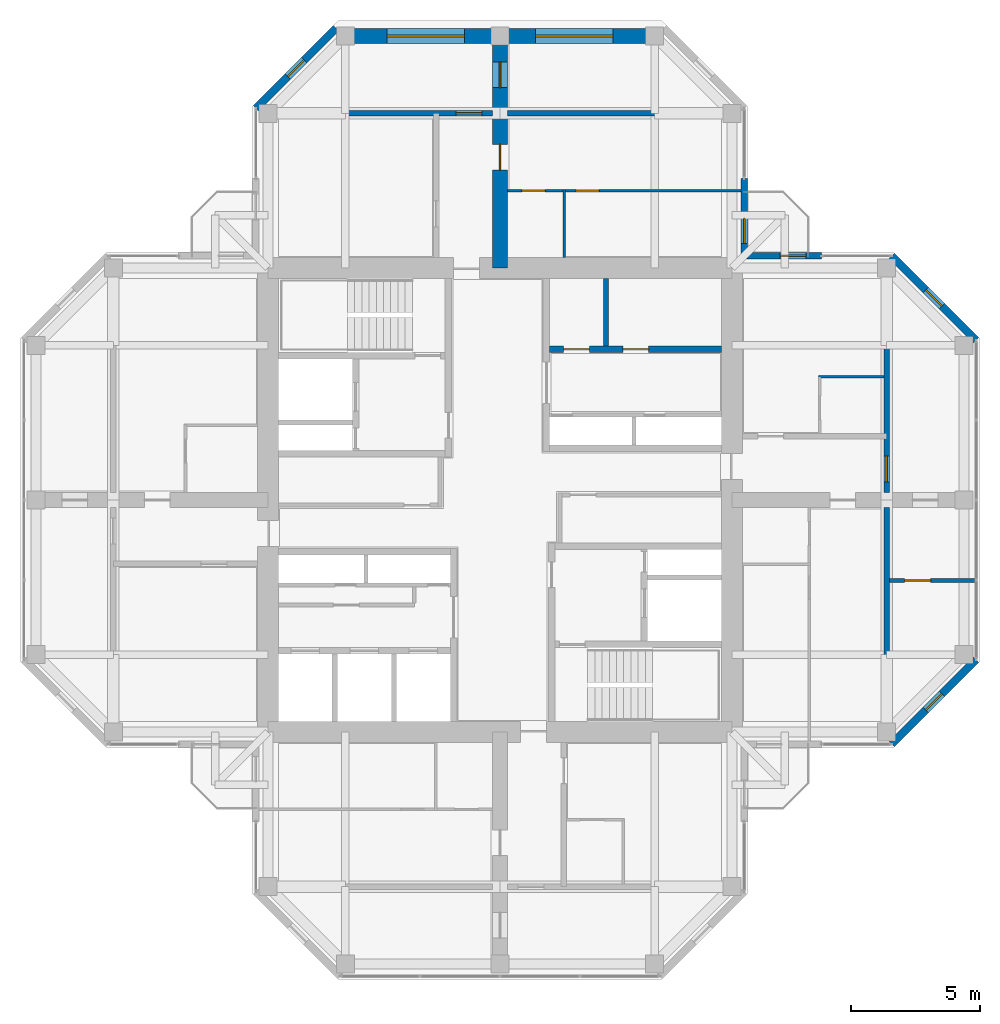
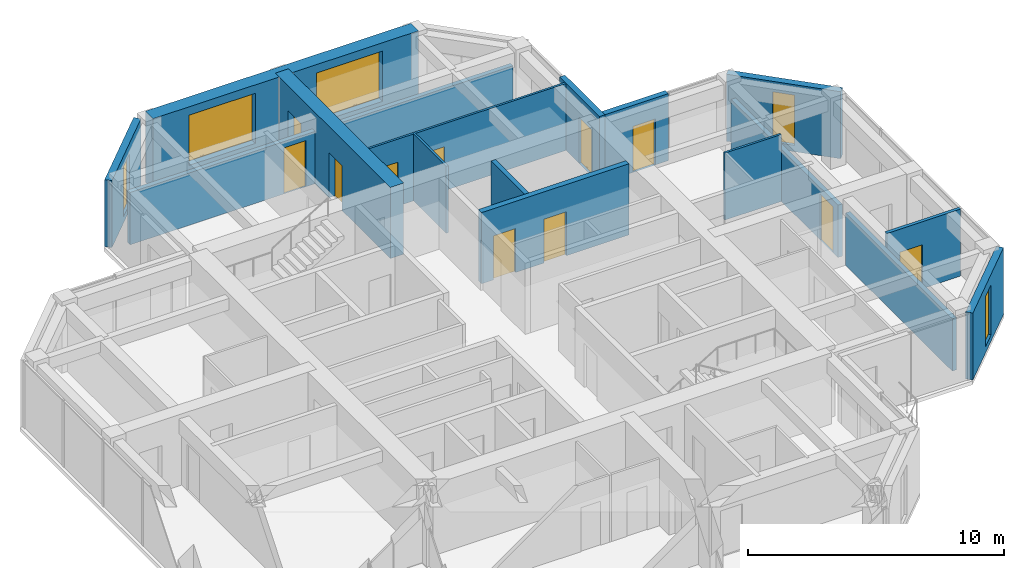
# One storey, part 11 of 13: 17 walls, 11 doors, 5 windows, 16 openings.
"""IFC4 building model written with IfcOpenShell, lengths in metres."""

from ifc_helpers import new_model, si_unit, direction, frame, frame_2d, origin, place, context, subcontext, project, spatial, rectangle, hollow_rectangle, extrude, material, layer, layer_set, constituent, constituent_set, type_object, element, fill, save


model = new_model("IFC4")

# Units and contexts
model_context = context("Model", 3, precision=1e-05, world=origin(), true_north=direction((0.0, 1.0)))
body_context = subcontext(model_context, "Body", "Model", "MODEL_VIEW")
ifc_project = project(units=[si_unit("LENGTHUNIT", "METRE"), si_unit("AREAUNIT", "SQUARE_METRE"), si_unit("VOLUMEUNIT", "CUBIC_METRE"), si_unit("PLANEANGLEUNIT", "RADIAN"), si_unit("MASSUNIT", "GRAM", prefix="KILO")], contexts=[model_context])

# Site, building, storey
site_placement = place(None, origin())
site = spatial("IfcSite", under=ifc_project, at=site_placement, CompositionType="ELEMENT")
building_placement = place(site_placement, origin())
building = spatial("IfcBuilding", under=site, at=building_placement, Name="Torre Cruceta", CompositionType="ELEMENT")
storey_placement = place(building_placement, frame((0.0, 0.0, 284.89990234375)))
storey = spatial("IfcBuildingStorey", under=building, at=storey_placement, Name="L74", CompositionType="ELEMENT", Elevation=284.89990234375)

# Wall
ifc_material_1 = material(Name="Water-resistant plasterboard on steel studs", Category="steel")
ifc_layer_1 = layer(ifc_material_1, 0.10009765625)
ifc_layer_set_1 = layer_set([ifc_layer_1], Name="Water-resistant plasterboard on steel studs")
wall_type_1 = type_object("IfcWallType", Name="BATHROOM WALL 100", PredefinedType="PARTITIONING", material=ifc_layer_set_1)
wall_1_placement = place(storey_placement, frame((2.5, 9.39990234375, 0.0), z_axis=(0.0, 0.0, 1.0), x_axis=(0.0, 1.0, 0.0)))
element("IfcWall", 1, at=wall_1_placement, inside=storey, type_object=wall_type_1, Name="PT4 L74-N-U1RBB", PredefinedType="PARTITIONING", context=body_context, shape_type="SweptSolid", body=[
    extrude(rectangle(XDim=2.650146484375, YDim=0.10009765625, at=frame_2d((1.3251953125, 0.0))), origin(), (0.0, 0.0, 1.0), 3.2001953125),
])

# Wall, openings, doors
wall_2_placement = place(storey_placement, frame((9.344970703125, 12.0, 0.0), z_axis=(0.0, 0.0, 1.0), x_axis=(-1.0, 0.0, 0.0)))
wall_2 = element("IfcWall", 2, at=wall_2_placement, inside=storey, type_object=wall_type_1, Name="PT4 L74-N-U1RBS", PredefinedType="PARTITIONING", context=body_context, shape_type="SweptSolid", body=[
    extrude(rectangle(XDim=9.044921875, YDim=0.10009765625, at=frame_2d((4.5224609375, 0.0))), origin(), (0.0, 0.0, 1.0), 3.2001953125),
])
opening_1_placement = place(wall_2_placement, frame((5.4951171875, 0.0, 0.0)))
opening_1 = element("IfcOpeningElement", 3, at=opening_1_placement, cuts=wall_2, Name="Opening D7", PredefinedType="OPENING", context=body_context, shape_type="SweptSolid", body=[
    extrude(rectangle(XDim=0.89990234375, YDim=2.10009765625, at=frame_2d((0.449951171875, 1.050048828125))), frame((0.0, 0.06005859375, 0.0), z_axis=(0.0, -1.0, 0.0), x_axis=(1.0, 0.0, 0.0)), (0.0, 0.0, 1.0), 0.1201171875),
])
opening_2_placement = place(wall_2_placement, frame((7.594970703125, 0.0, 0.0)))
opening_2 = element("IfcOpeningElement", 4, at=opening_2_placement, cuts=wall_2, Name="Opening D7", PredefinedType="OPENING", context=body_context, shape_type="SweptSolid", body=[
    extrude(rectangle(XDim=0.89990234375, YDim=2.10009765625, at=frame_2d((0.449951171875, 1.050048828125))), frame((0.0, 0.06005859375, 0.0), z_axis=(0.0, -1.0, 0.0), x_axis=(1.0, 0.0, 0.0)), (0.0, 0.0, 1.0), 0.1201171875),
])
ifc_material_2 = material(Name="Timber door", Category="wood")
door_type_1 = type_object("IfcDoorType", Name="BATHROOM DOOR 900X2100", OperationType="SINGLE_SWING_LEFT", PredefinedType="DOOR", material=ifc_material_2)
door_1_placement = place(opening_1_placement, origin())
door_1 = element("IfcDoor", 5, at=door_1_placement, inside=storey, type_object=door_type_1, Name="D7 L74-N-U1RBS-D1", OperationType="SINGLE_SWING_RIGHT", OverallHeight=2.10009765625, OverallWidth=0.89990234375, PredefinedType="DOOR", context=body_context, shape_type="SweptSolid", body=[
    extrude(rectangle(XDim=0.89990234375, YDim=2.10009765625, at=frame_2d((0.449951171875, 1.050048828125))), frame((0.0, 0.02490234375, 0.0), z_axis=(0.0, -1.0, 0.0), x_axis=(1.0, 0.0, 0.0)), (0.0, 0.0, 1.0), 0.050048828125),
])
fill(opening_1, door_1)
door_2_placement = place(opening_2_placement, origin())
door_2 = element("IfcDoor", 6, at=door_2_placement, inside=storey, type_object=door_type_1, Name="D7 L74-N-U1RBS-D2", OperationType="SINGLE_SWING_RIGHT", OverallHeight=2.10009765625, OverallWidth=0.89990234375, PredefinedType="DOOR", context=body_context, shape_type="SweptSolid", body=[
    extrude(rectangle(XDim=0.89990234375, YDim=2.10009765625, at=frame_2d((0.449951171875, 1.050048828125))), frame((0.0, 0.02490234375, 0.0), z_axis=(0.0, -1.0, 0.0), x_axis=(1.0, 0.0, 0.0)), (0.0, 0.0, 1.0), 0.050048828125),
])
fill(opening_2, door_2)

# Wall
wall_3_placement = place(storey_placement, frame((12.35009765625, 4.77490234375, 0.0), z_axis=(0.0, 0.0, 1.0), x_axis=(1.0, 0.0, 0.0)))
element("IfcWall", 7, at=wall_3_placement, inside=storey, type_object=wall_type_1, Name="PT4 L74-E-U1LBB", PredefinedType="PARTITIONING", context=body_context, shape_type="SweptSolid", body=[
    extrude(rectangle(XDim=2.5498046875, YDim=0.10009765625, at=frame_2d((1.27490234375, 0.0))), origin(), (0.0, 0.0, 1.0), 3.2001953125),
])

# Wall, openings, doors
ifc_material_3 = material(Name="Concrete G60 (fck 60 MPa)", Category="concrete")
ifc_layer_2 = layer(ifc_material_3, 0.25)
ifc_layer_set_2 = layer_set([ifc_layer_2], Name="Concrete G60 (fck 60 MPa)")
wall_type_2 = type_object("IfcWallType", Name="CORE INNER WALL 250 G60", PredefinedType="SHEAR", material=ifc_layer_set_2)
wall_4_placement = place(storey_placement, frame((1.925048828125, 5.85009765625, 0.0), z_axis=(0.0, 0.0, 1.0), x_axis=(1.0, 0.0, 0.0)))
wall_4 = element("IfcWall", 8, at=wall_4_placement, inside=storey, type_object=wall_type_2, Name="CW4 L74 NE-LV", PredefinedType="SHEAR", context=body_context, shape_type="SweptSolid", body=[
    extrude(rectangle(XDim=6.675048828125, YDim=0.25, at=frame_2d((3.33740234375, 0.0))), origin(), (0.0, 0.0, 1.0), 3.400146484375),
])
opening_3_placement = place(wall_4_placement, frame((0.5458984375, 0.0, 0.0)))
opening_3 = element("IfcOpeningElement", 9, at=opening_3_placement, cuts=wall_4, Name="Opening D3", PredefinedType="OPENING", context=body_context, shape_type="SweptSolid", body=[
    extrude(rectangle(XDim=1.0, YDim=2.10009765625, at=frame_2d((0.5, 1.050048828125))), frame((0.0, 0.135009765625, 0.0), z_axis=(0.0, -1.0, 0.0), x_axis=(1.0, 0.0, 0.0)), (0.0, 0.0, 1.0), 0.27001953125),
])
opening_4_placement = place(wall_4_placement, frame((2.83740234375, 0.0, 0.0)))
opening_4 = element("IfcOpeningElement", 10, at=opening_4_placement, cuts=wall_4, Name="Opening D3", PredefinedType="OPENING", context=body_context, shape_type="SweptSolid", body=[
    extrude(rectangle(XDim=1.0, YDim=2.10009765625, at=frame_2d((0.5, 1.050048828125))), frame((0.0, 0.135009765625, 0.0), z_axis=(0.0, -1.0, 0.0), x_axis=(1.0, 0.0, 0.0)), (0.0, 0.0, 1.0), 0.27001953125),
])
ifc_material_4 = material(Name="Steel DX51D", Category="steel")
ifc_constituent_1 = constituent(ifc_material_4, Name="Leaf and frame")
ifc_material_5 = material(Name="Polyester powder coating", Category="paint")
ifc_constituent_2 = constituent(ifc_material_5, Name="Finish")
ifc_constituent_set_1 = constituent_set(constituents=[ifc_constituent_1, ifc_constituent_2], Name="Steel fire door")
door_type_2 = type_object("IfcDoorType", Name="FIRE DOOR 1000X2100", OperationType="SINGLE_SWING_LEFT", PredefinedType="DOOR", material=ifc_constituent_set_1)
door_3_placement = place(opening_3_placement, origin())
door_3 = element("IfcDoor", 11, at=door_3_placement, inside=storey, type_object=door_type_2, Name="D3 L74 NE-HR1", OperationType="SINGLE_SWING_LEFT", OverallHeight=2.10009765625, OverallWidth=1.0, PredefinedType="DOOR", context=body_context, shape_type="SweptSolid", body=[
    extrude(rectangle(XDim=1.0, YDim=2.10009765625, at=frame_2d((0.5, 1.050048828125))), frame((0.0, 0.02490234375, 0.0), z_axis=(0.0, -1.0, 0.0), x_axis=(1.0, 0.0, 0.0)), (0.0, 0.0, 1.0), 0.050048828125),
])
fill(opening_3, door_3)
door_4_placement = place(opening_4_placement, origin())
door_4 = element("IfcDoor", 12, at=door_4_placement, inside=storey, type_object=door_type_2, Name="D3 L74 NE-HR2", OperationType="SINGLE_SWING_LEFT", OverallHeight=2.10009765625, OverallWidth=1.0, PredefinedType="DOOR", context=body_context, shape_type="SweptSolid", body=[
    extrude(rectangle(XDim=1.0, YDim=2.10009765625, at=frame_2d((0.5, 1.050048828125))), frame((0.0, 0.02490234375, 0.0), z_axis=(0.0, -1.0, 0.0), x_axis=(1.0, 0.0, 0.0)), (0.0, 0.0, 1.0), 0.050048828125),
])
fill(opening_4, door_4)

# Wall, opening, window
ifc_material_6 = material(Name="Concrete G30 (fck 30 MPa)", Category="concrete")
ifc_layer_3 = layer(ifc_material_6, 0.300048828125)
ifc_layer_set_3 = layer_set([ifc_layer_3], Name="Concrete G30 (fck 30 MPa)")
wall_type_3 = type_object("IfcWallType", Name="EXPOSED CONCRETE FACADE WALL 300", PredefinedType="SOLIDWALL", material=ifc_layer_set_3)
wall_5_placement = place(storey_placement, frame((15.194580078125, -9.469970703125, 0.0), z_axis=(0.0, 0.0, 1.0), x_axis=(0.707106781187, 0.707106781187, 0.0)))
wall_5 = element("IfcWall", 13, at=wall_5_placement, inside=storey, type_object=wall_type_3, Name="EW1 facade wall L74 E chamfer 01", PredefinedType="SOLIDWALL", context=body_context, shape_type="SweptSolid", body=[
    extrude(rectangle(XDim=4.632080078125, YDim=0.300048828125, at=frame_2d((2.31591796875, 0.0))), origin(), (0.0, 0.0, 1.0), 3.2001953125),
])
opening_5_placement = place(wall_5_placement, frame((1.865966796875, 0.0, 0.300048828125)))
opening_5 = element("IfcOpeningElement", 14, at=opening_5_placement, cuts=wall_5, Name="Opening WN5", PredefinedType="OPENING", context=body_context, shape_type="SweptSolid", body=[
    extrude(rectangle(XDim=0.89990234375, YDim=2.39990234375, at=frame_2d((0.449951171875, 1.199951171875))), frame((0.0, 0.159912109375, 0.0), z_axis=(0.0, -1.0, 0.0), x_axis=(1.0, 0.0, 0.0)), (0.0, 0.0, 1.0), 0.320068359375),
])
ifc_material_7 = material(Name="Aluminium window frame", Category="aluminium")
ifc_constituent_3 = constituent(ifc_material_7, Name="Frame")
ifc_material_8 = material(Name="Laminated insulating glass unit, low-iron clear", Category="glass")
ifc_constituent_4 = constituent(ifc_material_8, Name="Glazing")
ifc_constituent_set_2 = constituent_set(constituents=[ifc_constituent_3, ifc_constituent_4], Name="Aluminium window")
window_type_1 = type_object("IfcWindowType", Name="CHAMFER SLOT WINDOW 900X2400", PartitioningType="SINGLE_PANEL", PredefinedType="WINDOW", material=ifc_constituent_set_2)
window_1_placement = place(opening_5_placement, origin())
window_1 = element("IfcWindow", 15, at=window_1_placement, inside=storey, type_object=window_type_1, Name="WN5 L74 E 1", OverallHeight=2.39990234375, OverallWidth=0.89990234375, PartitioningType="SINGLE_PANEL", PredefinedType="WINDOW", context=body_context, shape_type="SweptSolid", body=[
    extrude(hollow_rectangle(XDim=0.89990234375, YDim=2.39990234375, WallThickness=0.06005859375, at=frame_2d((0.449951171875, 1.199951171875))), frame((0.0, 0.030029296875, 0.0), z_axis=(0.0, -1.0, 0.0), x_axis=(1.0, 0.0, 0.0)), (0.0, 0.0, 1.0), 0.06005859375),
    extrude(rectangle(XDim=0.77880859375, YDim=2.27880859375, at=frame_2d((0.449951171875, 1.199951171875))), frame((0.0, 0.030029296875, 0.0), z_axis=(0.0, -1.0, 0.0), x_axis=(1.0, 0.0, 0.0)), (0.0, 0.0, 1.0), 0.06005859375),
])
fill(opening_5, window_1)

wall_6_placement = place(storey_placement, frame((18.469970703125, 6.194580078125, 0.0), z_axis=(0.0, 0.0, 1.0), x_axis=(-0.707106781187, 0.707106781187, 0.0)))
wall_6 = element("IfcWall", 16, at=wall_6_placement, inside=storey, type_object=wall_type_3, Name="EW1 facade wall L74 E chamfer 03", PredefinedType="SOLIDWALL", context=body_context, shape_type="SweptSolid", body=[
    extrude(rectangle(XDim=4.632080078125, YDim=0.300048828125, at=frame_2d((2.31591796875, 0.0))), origin(), (0.0, 0.0, 1.0), 3.2001953125),
])
opening_6_placement = place(wall_6_placement, frame((1.865966796875, 0.0, 0.300048828125)))
opening_6 = element("IfcOpeningElement", 17, at=opening_6_placement, cuts=wall_6, Name="Opening WN5", PredefinedType="OPENING", context=body_context, shape_type="SweptSolid", body=[
    extrude(rectangle(XDim=0.89990234375, YDim=2.39990234375, at=frame_2d((0.449951171875, 1.199951171875))), frame((0.0, 0.159912109375, 0.0), z_axis=(0.0, -1.0, 0.0), x_axis=(1.0, 0.0, 0.0)), (0.0, 0.0, 1.0), 0.320068359375),
])
window_2_placement = place(opening_6_placement, origin())
window_2 = element("IfcWindow", 18, at=window_2_placement, inside=storey, type_object=window_type_1, Name="WN5 L74 E 1", OverallHeight=2.39990234375, OverallWidth=0.89990234375, PartitioningType="SINGLE_PANEL", PredefinedType="WINDOW", context=body_context, shape_type="SweptSolid", body=[
    extrude(hollow_rectangle(XDim=0.89990234375, YDim=2.39990234375, WallThickness=0.06005859375, at=frame_2d((0.449951171875, 1.199951171875))), frame((0.0, 0.030029296875, 0.0), z_axis=(0.0, -1.0, 0.0), x_axis=(1.0, 0.0, 0.0)), (0.0, 0.0, 1.0), 0.06005859375),
    extrude(rectangle(XDim=0.77880859375, YDim=2.27880859375, at=frame_2d((0.449951171875, 1.199951171875))), frame((0.0, 0.030029296875, 0.0), z_axis=(0.0, -1.0, 0.0), x_axis=(1.0, 0.0, 0.0)), (0.0, 0.0, 1.0), 0.06005859375),
])
fill(opening_6, window_2)

wall_7_placement = place(storey_placement, frame((-6.36474609375, 18.300048828125, 0.0), z_axis=(0.0, 0.0, 1.0), x_axis=(-0.70707898447, -0.707134576811, 0.0)))
wall_7 = element("IfcWall", 19, at=wall_7_placement, inside=storey, type_object=wall_type_3, Name="EW1 facade wall L74 N chamfer 08", PredefinedType="SOLIDWALL", context=body_context, shape_type="SweptSolid", body=[
    extrude(rectangle(XDim=4.3916015625, YDim=0.300048828125, at=frame_2d((2.19580078125, 0.0))), origin(), (0.0, 0.0, 1.0), 3.2001953125),
])
opening_7_placement = place(wall_7_placement, frame((1.745849609375, 0.0, 0.300048828125)))
opening_7 = element("IfcOpeningElement", 20, at=opening_7_placement, cuts=wall_7, Name="Opening WN5", PredefinedType="OPENING", context=body_context, shape_type="SweptSolid", body=[
    extrude(rectangle(XDim=0.89990234375, YDim=2.39990234375, at=frame_2d((0.449951171875, 1.199951171875))), frame((0.0, 0.159912109375, 0.0), z_axis=(0.0, -1.0, 0.0), x_axis=(1.0, 0.0, 0.0)), (0.0, 0.0, 1.0), 0.320068359375),
])
window_3_placement = place(opening_7_placement, origin())
window_3 = element("IfcWindow", 21, at=window_3_placement, inside=storey, type_object=window_type_1, Name="WN5 L74 N 1", OverallHeight=2.39990234375, OverallWidth=0.89990234375, PartitioningType="SINGLE_PANEL", PredefinedType="WINDOW", context=body_context, shape_type="SweptSolid", body=[
    extrude(hollow_rectangle(XDim=0.89990234375, YDim=2.39990234375, WallThickness=0.06005859375, at=frame_2d((0.449951171875, 1.199951171875))), frame((0.0, 0.030029296875, 0.0), z_axis=(0.0, -1.0, 0.0), x_axis=(1.0, 0.0, 0.0)), (0.0, 0.0, 1.0), 0.06005859375),
    extrude(rectangle(XDim=0.77880859375, YDim=2.27880859375, at=frame_2d((0.449951171875, 1.199951171875))), frame((0.0, 0.030029296875, 0.0), z_axis=(0.0, -1.0, 0.0), x_axis=(1.0, 0.0, 0.0)), (0.0, 0.0, 1.0), 0.06005859375),
])
fill(opening_7, window_3)

# Wall
ifc_material_9 = material(Name="Concrete G35 (fck 35 MPa)", Category="concrete")
ifc_layer_4 = layer(ifc_material_9, 0.199951171875)
ifc_layer_set_4 = layer_set([ifc_layer_4], Name="Concrete G35 (fck 35 MPa)")
wall_type_4 = type_object("IfcWallType", Name="LIFT SHAFT WALL 200", PredefinedType="PARTITIONING", material=ifc_layer_set_4)
wall_8_placement = place(storey_placement, frame((4.11669921875, 5.97509765625, 0.0), z_axis=(0.0, 0.0, 1.0), x_axis=(0.0, 1.0, 0.0)))
element("IfcWall", 22, at=wall_8_placement, inside=storey, type_object=wall_type_4, Name="SW1 L74 NE-LS1", PredefinedType="PARTITIONING", context=body_context, shape_type="SweptSolid", body=[
    extrude(rectangle(XDim=2.625, YDim=0.199951171875, at=frame_2d((1.3125, 0.0))), origin(), (0.0, 0.0, 1.0), 3.400146484375),
])

# Wall, openings, windows
ifc_material_10 = material(Name="Concrete G60 (fck 60 MPa)", Category="concrete")
ifc_layer_5 = layer(ifc_material_10, 0.60009765625)
ifc_layer_set_5 = layer_set([ifc_layer_5], Name="Concrete G60 (fck 60 MPa)")
wall_type_5 = type_object("IfcWallType", Name="NOSE WALL 600 G60", PredefinedType="SHEAR", material=ifc_layer_set_5)
wall_9_placement = place(storey_placement, frame((6.0, 18.0, 0.0), z_axis=(0.0, 0.0, 1.0), x_axis=(-1.0, 0.0, 0.0)))
wall_9 = element("IfcWall", 23, at=wall_9_placement, inside=storey, type_object=wall_type_5, Name="NW3 nose wall L74 N", PredefinedType="SHEAR", context=body_context, shape_type="SweptSolid", body=[
    extrude(rectangle(XDim=12.0, YDim=0.60009765625, at=frame_2d((6.0, 0.0))), origin(), (0.0, 0.0, 1.0), 3.400146484375),
])
opening_8_placement = place(wall_9_placement, frame((1.625, 0.0, 0.60009765625)))
opening_8 = element("IfcOpeningElement", 24, at=opening_8_placement, cuts=wall_9, Name="Opening WN6", PredefinedType="OPENING", context=body_context, shape_type="SweptSolid", body=[
    extrude(rectangle(XDim=3.0, YDim=2.39990234375, at=frame_2d((1.5, 1.199951171875))), frame((0.0, 0.31005859375, 0.0), z_axis=(0.0, -1.0, 0.0), x_axis=(1.0, 0.0, 0.0)), (0.0, 0.0, 1.0), 0.6201171875),
])
opening_9_placement = place(wall_9_placement, frame((7.375, 0.0, 0.60009765625)))
opening_9 = element("IfcOpeningElement", 25, at=opening_9_placement, cuts=wall_9, Name="Opening WN6", PredefinedType="OPENING", context=body_context, shape_type="SweptSolid", body=[
    extrude(rectangle(XDim=3.0, YDim=2.39990234375, at=frame_2d((1.5, 1.199951171875))), frame((0.0, 0.31005859375, 0.0), z_axis=(0.0, -1.0, 0.0), x_axis=(1.0, 0.0, 0.0)), (0.0, 0.0, 1.0), 0.6201171875),
])
ifc_material_11 = material(Name="Aluminium window frame", Category="aluminium")
ifc_constituent_5 = constituent(ifc_material_11, Name="Frame")
ifc_material_12 = material(Name="Laminated insulating glass unit, low-iron clear", Category="glass")
ifc_constituent_6 = constituent(ifc_material_12, Name="Glazing")
ifc_constituent_set_3 = constituent_set(constituents=[ifc_constituent_5, ifc_constituent_6], Name="Aluminium window")
window_type_2 = type_object("IfcWindowType", Name="NOSE WALL WINDOW 3000X2400", PartitioningType="SINGLE_PANEL", PredefinedType="WINDOW", material=ifc_constituent_set_3)
window_4_placement = place(opening_8_placement, origin())
window_4 = element("IfcWindow", 26, at=window_4_placement, inside=storey, type_object=window_type_2, Name="WN6 L74 N 1", OverallHeight=2.39990234375, OverallWidth=3.0, PartitioningType="SINGLE_PANEL", PredefinedType="WINDOW", context=body_context, shape_type="SweptSolid", body=[
    extrude(hollow_rectangle(XDim=3.0, YDim=2.39990234375, WallThickness=0.06005859375, at=frame_2d((1.5, 1.199951171875))), frame((0.0, 0.030029296875, 0.0), z_axis=(0.0, -1.0, 0.0), x_axis=(1.0, 0.0, 0.0)), (0.0, 0.0, 1.0), 0.06005859375),
    extrude(rectangle(XDim=2.87890625, YDim=2.27880859375, at=frame_2d((1.5, 1.199951171875))), frame((0.0, 0.030029296875, 0.0), z_axis=(0.0, -1.0, 0.0), x_axis=(1.0, 0.0, 0.0)), (0.0, 0.0, 1.0), 0.06005859375),
])
fill(opening_8, window_4)
window_5_placement = place(opening_9_placement, origin())
window_5 = element("IfcWindow", 27, at=window_5_placement, inside=storey, type_object=window_type_2, Name="WN6 L74 N 2", OverallHeight=2.39990234375, OverallWidth=3.0, PartitioningType="SINGLE_PANEL", PredefinedType="WINDOW", context=body_context, shape_type="SweptSolid", body=[
    extrude(hollow_rectangle(XDim=3.0, YDim=2.39990234375, WallThickness=0.06005859375, at=frame_2d((1.5, 1.199951171875))), frame((0.0, 0.030029296875, 0.0), z_axis=(0.0, -1.0, 0.0), x_axis=(1.0, 0.0, 0.0)), (0.0, 0.0, 1.0), 0.06005859375),
    extrude(rectangle(XDim=2.87890625, YDim=2.27880859375, at=frame_2d((1.5, 1.199951171875))), frame((0.0, 0.030029296875, 0.0), z_axis=(0.0, -1.0, 0.0), x_axis=(1.0, 0.0, 0.0)), (0.0, 0.0, 1.0), 0.06005859375),
])
fill(opening_9, window_5)

# Wall, opening, door
ifc_material_13 = material(Name="Plasterboard on steel studs", Category="steel")
ifc_layer_6 = layer(ifc_material_13, 0.14990234375)
ifc_layer_set_6 = layer_set([ifc_layer_6], Name="Plasterboard on steel studs")
wall_type_6 = type_object("IfcWallType", Name="PARTITION 150", PredefinedType="PARTITIONING", material=ifc_layer_set_6)
wall_10_placement = place(storey_placement, frame((15.10009765625, -3.117919921875, 0.0), z_axis=(0.0, 0.0, 1.0), x_axis=(1.0, 0.0, 0.0)))
wall_10 = element("IfcWall", 28, at=wall_10_placement, inside=storey, type_object=wall_type_6, Name="PT1 L74-E-END2X", PredefinedType="PARTITIONING", context=body_context, shape_type="SweptSolid", body=[
    extrude(rectangle(XDim=3.329833984375, YDim=0.14990234375, at=frame_2d((1.6650390625, 0.0))), origin(), (0.0, 0.0, 1.0), 3.2001953125),
])
opening_10_placement = place(wall_10_placement, frame((0.60009765625, 0.0, 0.0)))
opening_10 = element("IfcOpeningElement", 29, at=opening_10_placement, cuts=wall_10, Name="Opening D3", PredefinedType="OPENING", context=body_context, shape_type="SweptSolid", body=[
    extrude(rectangle(XDim=1.0, YDim=2.10009765625, at=frame_2d((0.5, 1.050048828125))), frame((0.0, 0.0849609375, 0.0), z_axis=(0.0, -1.0, 0.0), x_axis=(1.0, 0.0, 0.0)), (0.0, 0.0, 1.0), 0.169921875),
])
door_5_placement = place(opening_10_placement, origin())
door_5 = element("IfcDoor", 30, at=door_5_placement, inside=storey, type_object=door_type_2, Name="D3 L74-E-END2X-D1", OperationType="SINGLE_SWING_LEFT", OverallHeight=2.10009765625, OverallWidth=1.0, PredefinedType="DOOR", context=body_context, shape_type="SweptSolid", body=[
    extrude(rectangle(XDim=1.0, YDim=2.10009765625, at=frame_2d((0.5, 1.050048828125))), frame((0.0, 0.02490234375, 0.0), z_axis=(0.0, -1.0, 0.0), x_axis=(1.0, 0.0, 0.0)), (0.0, 0.0, 1.0), 0.050048828125),
])
fill(opening_10, door_5)

# Wall, openings, doors
ifc_material_14 = material(Name="Concrete G60 (fck 60 MPa)", Category="concrete")
ifc_layer_7 = layer(ifc_material_14, 0.60009765625)
ifc_layer_set_7 = layer_set([ifc_layer_7], Name="Concrete G60 (fck 60 MPa)")
wall_type_7 = type_object("IfcWallType", Name="SPINE WALL 600 G60", PredefinedType="SHEAR", material=ifc_layer_set_7)
wall_11_placement = place(storey_placement, frame((0.0, 9.0, 0.0), z_axis=(0.0, 0.0, 1.0), x_axis=(0.0, 1.0, 0.0)))
wall_11 = element("IfcWall", 31, at=wall_11_placement, inside=storey, type_object=wall_type_7, Name="SW5 spine wall L74 N", PredefinedType="SHEAR", context=body_context, shape_type="SweptSolid", body=[
    extrude(rectangle(XDim=9.0, YDim=0.60009765625, at=frame_2d((4.5, 0.0))), origin(), (0.0, 0.0, 1.0), 3.400146484375),
])
opening_11_placement = place(wall_11_placement, frame((3.800048828125, 0.0, 0.0)))
opening_11 = element("IfcOpeningElement", 32, at=opening_11_placement, cuts=wall_11, Name="Opening D6", PredefinedType="OPENING", context=body_context, shape_type="SweptSolid", body=[
    extrude(rectangle(XDim=1.0, YDim=2.14990234375, at=frame_2d((0.5, 1.074951171875))), frame((0.0, 0.31005859375, 0.0), z_axis=(0.0, -1.0, 0.0), x_axis=(1.0, 0.0, 0.0)), (0.0, 0.0, 1.0), 0.6201171875),
])
opening_12_placement = place(wall_11_placement, frame((7.0, 0.0, 0.0)))
opening_12 = element("IfcOpeningElement", 33, at=opening_12_placement, cuts=wall_11, Name="Opening D14", PredefinedType="OPENING", context=body_context, shape_type="SweptSolid", body=[
    extrude(rectangle(XDim=1.0, YDim=2.199951171875, at=frame_2d((0.5, 1.10009765625))), frame((0.0, 0.31005859375, 0.0), z_axis=(0.0, -1.0, 0.0), x_axis=(1.0, 0.0, 0.0)), (0.0, 0.0, 1.0), 0.6201171875),
])
ifc_material_15 = material(Name="Steel DX51D", Category="steel")
ifc_constituent_7 = constituent(ifc_material_15, Name="Leaf and frame")
ifc_material_16 = material(Name="Polyester powder coating", Category="paint")
ifc_constituent_8 = constituent(ifc_material_16, Name="Finish")
ifc_material_17 = material(Name="Fire-resisting glass", Category="glass")
ifc_constituent_9 = constituent(ifc_material_17, Name="Vision panel")
ifc_constituent_set_4 = constituent_set(constituents=[ifc_constituent_7, ifc_constituent_8, ifc_constituent_9], Name="Steel fire door with vision panel")
door_type_3 = type_object("IfcDoorType", Name="FIRE DOOR VISION PANEL 1000X2200", OperationType="SINGLE_SWING_RIGHT", PredefinedType="DOOR", material=ifc_constituent_set_4)
door_6_placement = place(opening_12_placement, origin())
door_6 = element("IfcDoor", 34, at=door_6_placement, inside=storey, type_object=door_type_3, Name="D14 L74-N-SP2", OperationType="SINGLE_SWING_RIGHT", OverallHeight=2.199951171875, OverallWidth=1.0, PredefinedType="DOOR", context=body_context, shape_type="SweptSolid", body=[
    extrude(rectangle(XDim=1.0, YDim=2.199951171875, at=frame_2d((0.5, 1.10009765625))), frame((0.0, 0.02490234375, 0.0), z_axis=(0.0, -1.0, 0.0), x_axis=(1.0, 0.0, 0.0)), (0.0, 0.0, 1.0), 0.050048828125),
])
fill(opening_12, door_6)
ifc_material_18 = material(Name="Timber fire door", Category="wood")
door_type_4 = type_object("IfcDoorType", Name="UNIT ENTRANCE DOOR 1000X2150", OperationType="SINGLE_SWING_LEFT", PredefinedType="DOOR", material=ifc_material_18)
door_7_placement = place(opening_11_placement, frame((1.0, 0.0, 0.0), z_axis=(0.0, 0.0, 1.0), x_axis=(-1.0, 0.0, 0.0)))
door_7 = element("IfcDoor", 35, at=door_7_placement, inside=storey, type_object=door_type_4, Name="D6 L74-N-SP1", OperationType="SINGLE_SWING_RIGHT", OverallHeight=2.14990234375, OverallWidth=1.0, PredefinedType="DOOR", context=body_context, shape_type="SweptSolid", body=[
    extrude(rectangle(XDim=1.0, YDim=2.14990234375, at=frame_2d((0.5, 1.074951171875))), frame((0.0, 0.025146484375, 0.0), z_axis=(0.0, -1.0, 0.0), x_axis=(1.0, 0.0, 0.0)), (0.0, 0.0, 1.0), 0.050048828125),
])
fill(opening_11, door_7)

# Wall
ifc_material_19 = material(Name="Concrete G25 (fck 25 MPa)", Category="concrete")
ifc_layer_8 = layer(ifc_material_19, 0.199951171875)
ifc_layer_set_8 = layer_set([ifc_layer_8], Name="Concrete G25 (fck 25 MPa)")
wall_type_8 = type_object("IfcWallType", Name="UNIT SEPARATING WALL 200", PredefinedType="SOLIDWALL", material=ifc_layer_set_8)
wall_12_placement = place(storey_placement, frame((8.64990234375, 15.0, 0.0), z_axis=(0.0, 0.0, 1.0), x_axis=(-1.0, 0.0, 0.0)))
element("IfcWall", 36, at=wall_12_placement, inside=storey, type_object=wall_type_8, Name="PT2 L74-N-ENDa", PredefinedType="SOLIDWALL", context=body_context, shape_type="SweptSolid", body=[
    extrude(rectangle(XDim=8.349853515625, YDim=0.199951171875, at=frame_2d((4.1748046875, 0.0))), origin(), (0.0, 0.0, 1.0), 2.5),
])

# Wall, opening, door
wall_13_placement = place(storey_placement, frame((-0.300048828125, 15.0, 0.0), z_axis=(0.0, 0.0, 1.0), x_axis=(-1.0, 0.0, 0.0)))
wall_13 = element("IfcWall", 37, at=wall_13_placement, inside=storey, type_object=wall_type_8, Name="PT2 L74-N-ENDb", PredefinedType="SOLIDWALL", context=body_context, shape_type="SweptSolid", body=[
    extrude(rectangle(XDim=8.349853515625, YDim=0.199951171875, at=frame_2d((4.1748046875, 0.0))), origin(), (0.0, 0.0, 1.0), 2.5),
])
opening_13_placement = place(wall_13_placement, frame((0.39990234375, 0.0, 0.0)))
opening_13 = element("IfcOpeningElement", 38, at=opening_13_placement, cuts=wall_13, Name="Opening D14", PredefinedType="OPENING", context=body_context, shape_type="SweptSolid", body=[
    extrude(rectangle(XDim=1.0, YDim=2.199951171875, at=frame_2d((0.5, 1.10009765625))), frame((0.0, 0.10986328125, 0.0), z_axis=(0.0, -1.0, 0.0), x_axis=(1.0, 0.0, 0.0)), (0.0, 0.0, 1.0), 0.219970703125),
])
door_8_placement = place(opening_13_placement, frame((1.0, 0.0, 0.0), z_axis=(0.0, 0.0, 1.0), x_axis=(-1.0, 0.0, 0.0)))
door_8 = element("IfcDoor", 39, at=door_8_placement, inside=storey, type_object=door_type_3, Name="D14 L74-N-ENDb-D1", OperationType="SINGLE_SWING_RIGHT", OverallHeight=2.199951171875, OverallWidth=1.0, PredefinedType="DOOR", context=body_context, shape_type="SweptSolid", body=[
    extrude(rectangle(XDim=1.0, YDim=2.199951171875, at=frame_2d((0.5, 1.10009765625))), frame((0.0, 0.025146484375, 0.0), z_axis=(0.0, -1.0, 0.0), x_axis=(1.0, 0.0, 0.0)), (0.0, 0.0, 1.0), 0.050048828125),
])
fill(opening_13, door_8)

# Wall
wall_14_placement = place(storey_placement, frame((15.0, -8.64990234375, 0.0), z_axis=(0.0, 0.0, 1.0), x_axis=(0.0, 1.0, 0.0)))
element("IfcWall", 40, at=wall_14_placement, inside=storey, type_object=wall_type_8, Name="PT2 L74-E-ENDa", PredefinedType="SOLIDWALL", context=body_context, shape_type="SweptSolid", body=[
    extrude(rectangle(XDim=8.349853515625, YDim=0.199951171875, at=frame_2d((4.1748046875, 0.0))), origin(), (0.0, 0.0, 1.0), 2.5),
])

# Wall, opening, door
wall_15_placement = place(storey_placement, frame((15.0, 0.300048828125, 0.0), z_axis=(0.0, 0.0, 1.0), x_axis=(0.0, 1.0, 0.0)))
wall_15 = element("IfcWall", 41, at=wall_15_placement, inside=storey, type_object=wall_type_8, Name="PT2 L74-E-ENDb", PredefinedType="SOLIDWALL", context=body_context, shape_type="SweptSolid", body=[
    extrude(rectangle(XDim=8.349853515625, YDim=0.199951171875, at=frame_2d((4.1748046875, 0.0))), origin(), (0.0, 0.0, 1.0), 2.5),
])
opening_14_placement = place(wall_15_placement, frame((0.39990234375, 0.0, 0.0)))
opening_14 = element("IfcOpeningElement", 42, at=opening_14_placement, cuts=wall_15, Name="Opening D14", PredefinedType="OPENING", context=body_context, shape_type="SweptSolid", body=[
    extrude(rectangle(XDim=1.0, YDim=2.199951171875, at=frame_2d((0.5, 1.10009765625))), frame((0.0, 0.10986328125, 0.0), z_axis=(0.0, -1.0, 0.0), x_axis=(1.0, 0.0, 0.0)), (0.0, 0.0, 1.0), 0.219970703125),
])
door_9_placement = place(opening_14_placement, frame((1.0, 0.0, 0.0), z_axis=(0.0, 0.0, 1.0), x_axis=(-1.0, 0.0, 0.0)))
door_9 = element("IfcDoor", 43, at=door_9_placement, inside=storey, type_object=door_type_3, Name="D14 L74-E-ENDb-D1", OperationType="SINGLE_SWING_RIGHT", OverallHeight=2.199951171875, OverallWidth=1.0, PredefinedType="DOOR", context=body_context, shape_type="SweptSolid", body=[
    extrude(rectangle(XDim=1.0, YDim=2.199951171875, at=frame_2d((0.5, 1.10009765625))), frame((0.0, 0.025146484375, 0.0), z_axis=(0.0, -1.0, 0.0), x_axis=(1.0, 0.0, 0.0)), (0.0, 0.0, 1.0), 0.050048828125),
])
fill(opening_14, door_9)

ifc_material_20 = material(Name="Concrete G30 (fck 30 MPa)", Category="concrete")
ifc_layer_9 = layer(ifc_material_20, 0.25)
ifc_layer_set_9 = layer_set([ifc_layer_9], Name="Concrete G30 (fck 30 MPa)")
wall_type_9 = type_object("IfcWallType", Name="WINTER GARDEN WALL 250", PredefinedType="SOLIDWALL", material=ifc_layer_set_9)
wall_16_placement = place(storey_placement, frame((12.469970703125, 9.469970703125, 0.0), z_axis=(0.0, 0.0, 1.0), x_axis=(-1.0, 0.0, 0.0)))
wall_16 = element("IfcWall", 44, at=wall_16_placement, inside=storey, type_object=wall_type_9, Name="EW2 winter garden wall L74 04", PredefinedType="SOLIDWALL", context=body_context, shape_type="SweptSolid", body=[
    extrude(rectangle(XDim=2.875, YDim=0.25, at=frame_2d((1.4375, 0.0))), origin(), (0.0, 0.0, 1.0), 3.2001953125),
])
opening_15_placement = place(wall_16_placement, frame((0.60009765625, 0.0, 0.0)))
opening_15 = element("IfcOpeningElement", 45, at=opening_15_placement, cuts=wall_16, Name="Opening D10", PredefinedType="OPENING", context=body_context, shape_type="SweptSolid", body=[
    extrude(rectangle(XDim=1.0, YDim=2.199951171875, at=frame_2d((0.5, 1.10009765625))), frame((0.0, 0.135009765625, 0.0), z_axis=(0.0, -1.0, 0.0), x_axis=(1.0, 0.0, 0.0)), (0.0, 0.0, 1.0), 0.27001953125),
])
ifc_material_21 = material(Name="Aluminium door frame", Category="aluminium")
ifc_constituent_10 = constituent(ifc_material_21, Name="Frame")
ifc_material_22 = material(Name="Laminated safety glass", Category="glass")
ifc_constituent_11 = constituent(ifc_material_22, Name="Glazing")
ifc_constituent_set_5 = constituent_set(constituents=[ifc_constituent_10, ifc_constituent_11], Name="Aluminium glazed door")
door_type_5 = type_object("IfcDoorType", Name="BALCONY DOOR 1000X2200", OperationType="SINGLE_SWING_RIGHT", PredefinedType="DOOR", material=ifc_constituent_set_5)
door_10_placement = place(opening_15_placement, origin())
door_10 = element("IfcDoor", 46, at=door_10_placement, inside=storey, type_object=door_type_5, Name="D10 balcony door L74 04", OperationType="SINGLE_SWING_RIGHT", OverallHeight=2.199951171875, OverallWidth=1.0, PredefinedType="DOOR", context=body_context, shape_type="SweptSolid", body=[
    extrude(hollow_rectangle(XDim=1.0, YDim=2.199951171875, WallThickness=0.06005859375, at=frame_2d((0.5, 1.10009765625))), frame((0.0, 0.02490234375, 0.0), z_axis=(0.0, -1.0, 0.0), x_axis=(1.0, 0.0, 0.0)), (0.0, 0.0, 1.0), 0.050048828125),
    extrude(rectangle(XDim=0.87890625, YDim=2.078857421875, at=frame_2d((0.5, 1.10009765625))), frame((0.0, 0.02490234375, 0.0), z_axis=(0.0, -1.0, 0.0), x_axis=(1.0, 0.0, 0.0)), (0.0, 0.0, 1.0), 0.050048828125),
])
fill(opening_15, door_10)

wall_17_placement = place(storey_placement, frame((9.469970703125, 9.344970703125, 0.0), z_axis=(0.0, 0.0, 1.0), x_axis=(0.0, 1.0, 0.0)))
wall_17 = element("IfcWall", 47, at=wall_17_placement, inside=storey, type_object=wall_type_9, Name="EW2 winter garden wall L74 05", PredefinedType="SOLIDWALL", context=body_context, shape_type="SweptSolid", body=[
    extrude(rectangle(XDim=3.125, YDim=0.25, at=frame_2d((1.5625, 0.0))), origin(), (0.0, 0.0, 1.0), 3.2001953125),
])
opening_16_placement = place(wall_17_placement, frame((0.60009765625, 0.0, 0.0)))
opening_16 = element("IfcOpeningElement", 48, at=opening_16_placement, cuts=wall_17, Name="Opening D10", PredefinedType="OPENING", context=body_context, shape_type="SweptSolid", body=[
    extrude(rectangle(XDim=1.0, YDim=2.199951171875, at=frame_2d((0.5, 1.10009765625))), frame((0.0, 0.135009765625, 0.0), z_axis=(0.0, -1.0, 0.0), x_axis=(1.0, 0.0, 0.0)), (0.0, 0.0, 1.0), 0.27001953125),
])
door_11_placement = place(opening_16_placement, origin())
door_11 = element("IfcDoor", 49, at=door_11_placement, inside=storey, type_object=door_type_5, Name="D10 balcony door L74 05", OperationType="SINGLE_SWING_LEFT", OverallHeight=2.199951171875, OverallWidth=1.0, PredefinedType="DOOR", context=body_context, shape_type="SweptSolid", body=[
    extrude(hollow_rectangle(XDim=1.0, YDim=2.199951171875, WallThickness=0.06005859375, at=frame_2d((0.5, 1.10009765625))), frame((0.0, 0.02490234375, 0.0), z_axis=(0.0, -1.0, 0.0), x_axis=(1.0, 0.0, 0.0)), (0.0, 0.0, 1.0), 0.050048828125),
    extrude(rectangle(XDim=0.87890625, YDim=2.078857421875, at=frame_2d((0.5, 1.10009765625))), frame((0.0, 0.02490234375, 0.0), z_axis=(0.0, -1.0, 0.0), x_axis=(1.0, 0.0, 0.0)), (0.0, 0.0, 1.0), 0.050048828125),
])
fill(opening_16, door_11)

save(model, "model.ifc")
